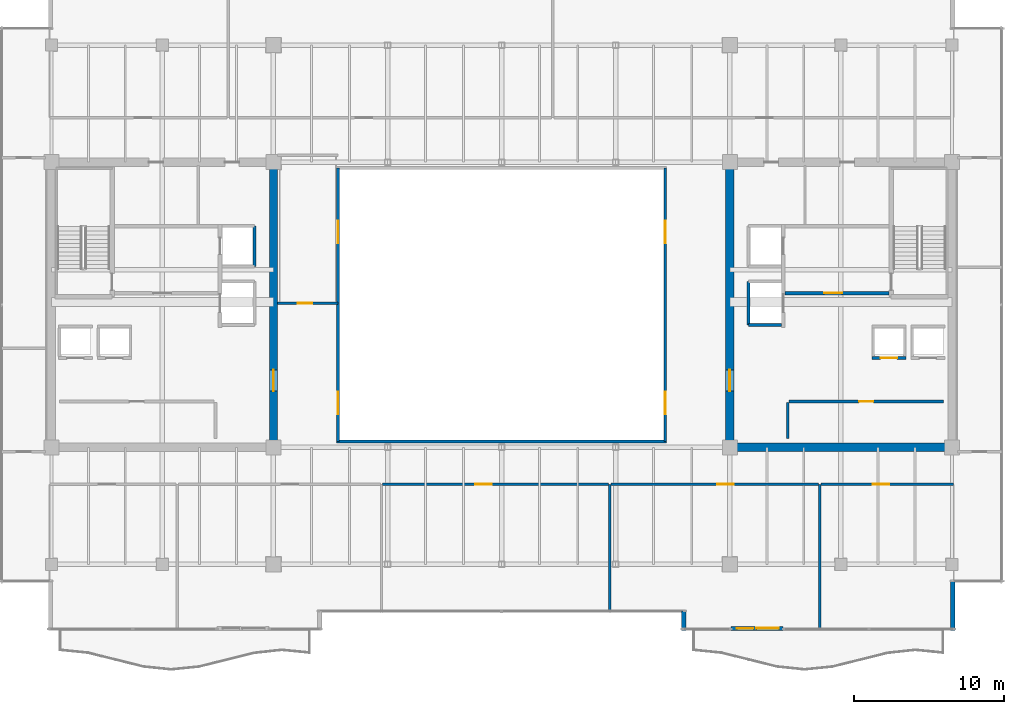
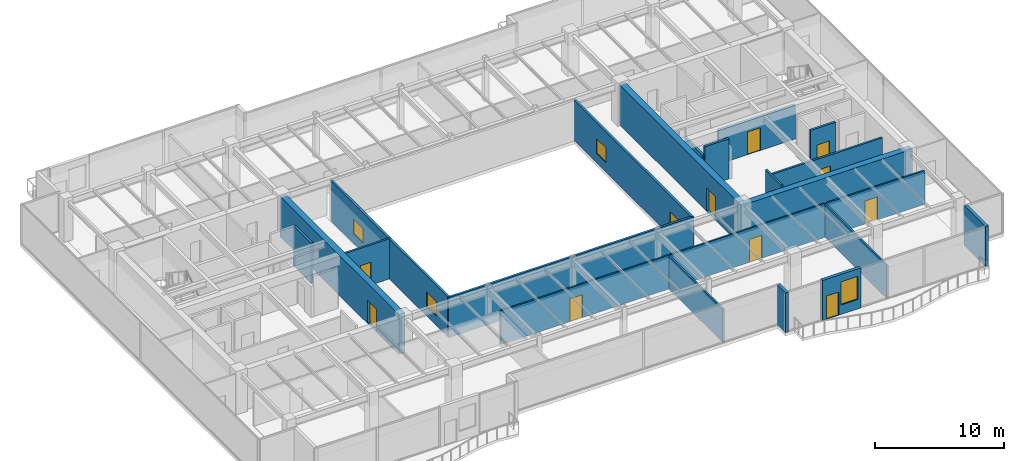
# One storey, part 29 of 35: 22 walls, 10 doors, 5 windows, 15 openings.
"""IFC4 building model written with IfcOpenShell, lengths in metres."""

from ifc_helpers import new_model, si_unit, direction, frame, frame_2d, origin, place, context, subcontext, project, spatial, rectangle, extrude, source, transform, mapped, material, layer, layer_set, type_object, type_shapes, element, fill, save


model = new_model("IFC4")

# Units and contexts
model_context = context("Model", 3, precision=1e-05, world=origin(), true_north=direction((0.0, 1.0)))
body_context = subcontext(model_context, "Body", "Model", "MODEL_VIEW")
ifc_project = project(units=[si_unit("LENGTHUNIT", "METRE"), si_unit("AREAUNIT", "SQUARE_METRE"), si_unit("VOLUMEUNIT", "CUBIC_METRE"), si_unit("PLANEANGLEUNIT", "RADIAN"), si_unit("MASSUNIT", "GRAM", prefix="KILO")], contexts=[model_context])

# Site, building, storey
site_placement = place(None, origin())
site = spatial("IfcSite", under=ifc_project, at=site_placement, CompositionType="ELEMENT")
building_placement = place(site_placement, origin())
building = spatial("IfcBuilding", under=site, at=building_placement, Name="Haelvirn Gate Laboratories", CompositionType="ELEMENT")
storey_placement = place(building_placement, frame((0.0, 0.0, 283.39990234375)))
storey = spatial("IfcBuildingStorey", under=building, at=storey_placement, Name="L68", CompositionType="ELEMENT", Elevation=283.39990234375)

# Wall, openings, door, window
ifc_material_1 = material(Name="Thermally-broken bronze aluminium rainscreen & mineral wool", Category="aluminium")
ifc_layer_1 = layer(ifc_material_1, 0.280029296875, Name="EW-TERR-280")
ifc_layer_set_1 = layer_set([ifc_layer_1], Name="Thermally-broken bronze aluminium rainscreen & mineral wool")
wall_type_1 = type_object("IfcWallType", Name="EW-TERR-280", PredefinedType="STANDARD", material=ifc_layer_set_1)
wall_1_placement = place(storey_placement, frame((52.697021484375, 2.739990234375, 0.0), z_axis=(0.0, 0.0, 1.0), x_axis=(1.0, 0.0, 0.0)))
wall_1 = element("IfcWall", 1, at=wall_1_placement, inside=storey, type_object=wall_type_1, Name="L68 Terrace Access Wall WB-EL-S", PredefinedType="STANDARD", context=body_context, shape_type="SweptSolid", body=[
    extrude(rectangle(XDim=3.4560546875, YDim=0.280029296875, at=frame_2d((1.72802734375, 0.0))), origin(), (0.0, 0.0, 1.0), 3.800048828125),
])
opening_1_placement = place(wall_1_placement, frame((0.3779296875, 0.0, 0.0)))
opening_1 = element("IfcOpeningElement", 2, at=opening_1_placement, cuts=wall_1, Name="Opening TD1", PredefinedType="OPENING", context=body_context, shape_type="SweptSolid", body=[
    extrude(rectangle(XDim=1.10009765625, YDim=2.199951171875, at=frame_2d((0.550048828125, 1.10009765625))), frame((0.0, 0.14990234375, 0.0), z_axis=(0.0, -1.0, 0.0), x_axis=(1.0, 0.0, 0.0)), (0.0, 0.0, 1.0), 0.300048828125),
])
opening_2_placement = place(wall_1_placement, frame((1.677978515625, 0.0, 0.89990234375)))
opening_2 = element("IfcOpeningElement", 3, at=opening_2_placement, cuts=wall_1, Name="Opening W3", PredefinedType="OPENING", context=body_context, shape_type="SweptSolid", body=[
    extrude(rectangle(XDim=1.5, YDim=2.199951171875, at=frame_2d((0.75, 1.10009765625))), frame((0.0, 0.14990234375, 0.0), z_axis=(0.0, -1.0, 0.0), x_axis=(1.0, 0.0, 0.0)), (0.0, 0.0, 1.0), 0.300048828125),
])
ifc_material_2 = material(Name="Thermally-broken bronze aluminium glazed terrace door", Category="aluminium")
door_type_1 = type_object("IfcDoorType", Name="DR-TERR-1100", OperationType="NOTDEFINED", PredefinedType="DOOR", material=ifc_material_2)
shared_shape_1 = source(origin(), body_context, "Body", "SweptSolid", [
    extrude(rectangle(XDim=1.10009765625, YDim=2.199951171875, at=frame_2d((0.550048828125, 1.10009765625))), frame((0.0, 0.02490234375, 0.0), z_axis=(0.0, -1.0, 0.0), x_axis=(1.0, 0.0, 0.0)), (0.0, 0.0, 1.0), 0.050048828125),
])
type_shapes(door_type_1, [shared_shape_1])
door_1_placement = place(opening_1_placement, origin())
door_1 = element("IfcDoor", 4, at=door_1_placement, inside=storey, type_object=door_type_1, Name="L68 Terrace Access Door WB-EL-S", OperationType="SINGLE_SWING_LEFT", OverallHeight=2.199951171875, OverallWidth=1.10009765625, PredefinedType="DOOR", context=body_context, shape_type="MappedRepresentation", body=[
    mapped(shared_shape_1, transform((0.0, 0.0, 0.0), scale=1.0)),
])
fill(opening_1, door_1)
ifc_material_3 = material(Name="Bronze anodised aluminium & triple low-E glass", Category="aluminium")
window_type_1 = type_object("IfcWindowType", Name="WIN-TERR-1600", PartitioningType="SINGLE_PANEL", PredefinedType="WINDOW", material=ifc_material_3)
shared_shape_2 = source(origin(), body_context, "Body", "SweptSolid", [
    extrude(rectangle(XDim=1.5, YDim=2.199951171875, at=frame_2d((0.75, 1.10009765625))), frame((0.0, 0.030029296875, 0.0), z_axis=(0.0, -1.0, 0.0), x_axis=(1.0, 0.0, 0.0)), (0.0, 0.0, 1.0), 0.06005859375),
])
type_shapes(window_type_1, [shared_shape_2])
window_1_placement = place(opening_2_placement, origin())
window_1 = element("IfcWindow", 5, at=window_1_placement, inside=storey, type_object=window_type_1, Name="L68 Terrace Vision Window WB-EL-S", OverallHeight=2.199951171875, OverallWidth=1.5, PartitioningType="SINGLE_PANEL", PredefinedType="WINDOW", context=body_context, shape_type="MappedRepresentation", body=[
    mapped(shared_shape_2, transform((0.0, 0.0, 0.0), scale=1.0)),
])
fill(opening_2, window_1)

# Walls
wall_2_placement = place(storey_placement, frame((49.5400390625, 3.89306640625, 0.0), z_axis=(0.0, 0.0, 1.0), x_axis=(0.0, -1.0, 0.0)))
element("IfcWall", 6, at=wall_2_placement, inside=storey, type_object=wall_type_1, Name="L68 Atrium Recess Bronze Return Wall 03", PredefinedType="STANDARD", context=body_context, shape_type="SweptSolid", body=[
    extrude(rectangle(XDim=1.29296875, YDim=0.280029296875, at=frame_2d((0.646484375, 0.0))), origin(), (0.0, 0.0, 1.0), 3.800048828125),
])
wall_3_placement = place(storey_placement, frame((67.4599609375, 2.60009765625, 0.0), z_axis=(0.0, 0.0, 1.0), x_axis=(0.0, 1.0, 0.0)))
element("IfcWall", 7, at=wall_3_placement, inside=storey, type_object=wall_type_1, Name="L68 Atrium Recess Bronze Return Wall 05", PredefinedType="STANDARD", context=body_context, shape_type="SweptSolid", body=[
    extrude(rectangle(XDim=3.287841796875, YDim=0.280029296875, at=frame_2d((1.64404296875, 0.0))), origin(), (0.0, 0.0, 1.0), 3.800048828125),
])
ifc_material_4 = material(Name="Double-layer acoustic gypsum laboratory partition", Category="gypsum")
ifc_layer_2 = layer(ifc_material_4, 0.159912109375, Name="IW-ACOUST-160")
ifc_layer_set_2 = layer_set([ifc_layer_2], Name="Double-layer acoustic gypsum laboratory partition")
wall_type_2 = type_object("IfcWallType", Name="IW-ACOUST-160", PredefinedType="PARTITIONING", material=ifc_layer_set_2)
wall_4_placement = place(storey_placement, frame((44.60009765625, 3.909912109375, 0.0), z_axis=(0.0, 0.0, 1.0), x_axis=(0.0, 1.0, 0.0)))
element("IfcWall", 8, at=wall_4_placement, inside=storey, type_object=wall_type_2, Name="L68 Interior Wall IW-L68-SDIV-03", PredefinedType="PARTITIONING", context=body_context, shape_type="SweptSolid", body=[
    extrude(rectangle(XDim=8.43017578125, YDim=0.159912109375, at=frame_2d((4.215087890625, 0.0))), origin(), (0.0, 0.0, 1.0), 3.135009765625),
])
wall_5_placement = place(storey_placement, frame((58.60009765625, 2.7099609375, 0.0), z_axis=(0.0, 0.0, 1.0), x_axis=(0.0, 1.0, 0.0)))
element("IfcWall", 9, at=wall_5_placement, inside=storey, type_object=wall_type_2, Name="L68 Interior Wall IW-L68-SDIV-04", PredefinedType="PARTITIONING", context=body_context, shape_type="SweptSolid", body=[
    extrude(rectangle(XDim=9.630126953125, YDim=0.159912109375, at=frame_2d((4.81494140625, 0.0))), origin(), (0.0, 0.0, 1.0), 3.135009765625),
])

# Wall, opening, door
ifc_material_5 = material(Name="Fire-rated acoustic gypsum board partition", Category="gypsum")
ifc_layer_3 = layer(ifc_material_5, 0.175048828125, Name="IW-ACOUST-180")
ifc_layer_set_3 = layer_set([ifc_layer_3], Name="Fire-rated acoustic gypsum board partition")
wall_type_3 = type_object("IfcWallType", Name="IW-ACOUST-180", PredefinedType="PARTITIONING", material=ifc_layer_set_3)
wall_6_placement = place(storey_placement, frame((22.47509765625, 24.39990234375, 0.0), z_axis=(0.0, 0.0, 1.0), x_axis=(1.0, 0.0, 0.0)))
wall_6 = element("IfcWall", 10, at=wall_6_placement, inside=storey, type_object=wall_type_3, Name="L68 Interior Wall IW-L68-WPOD-S", PredefinedType="PARTITIONING", context=body_context, shape_type="SweptSolid", body=[
    extrude(rectangle(XDim=4.02490234375, YDim=0.175048828125, at=frame_2d((2.012451171875, 0.0))), origin(), (0.0, 0.0, 1.0), 3.800048828125),
])
opening_3_placement = place(wall_6_placement, frame((1.35009765625, 0.0, 0.0)))
opening_3 = element("IfcOpeningElement", 11, at=opening_3_placement, cuts=wall_6, Name="Opening FD4", PredefinedType="OPENING", context=body_context, shape_type="SweptSolid", body=[
    extrude(rectangle(XDim=0.949951171875, YDim=2.14990234375, at=frame_2d((0.47509765625, 1.074951171875))), frame((0.0, 0.09765625, 0.0), z_axis=(0.0, -1.0, 0.0), x_axis=(1.0, 0.0, 0.0)), (0.0, 0.0, 1.0), 0.195068359375),
])
ifc_material_6 = material(Name="Fire-rated steel SM355 core service door", Category="steel")
door_type_2 = type_object("IfcDoorType", Name="DR-FD-950", OperationType="NOTDEFINED", PredefinedType="DOOR", material=ifc_material_6)
shared_shape_3 = source(origin(), body_context, "Body", "SweptSolid", [
    extrude(rectangle(XDim=0.949951171875, YDim=2.14990234375, at=frame_2d((0.47509765625, 1.074951171875))), frame((0.0, 0.02490234375, 0.0), z_axis=(0.0, -1.0, 0.0), x_axis=(1.0, 0.0, 0.0)), (0.0, 0.0, 1.0), 0.050048828125),
])
type_shapes(door_type_2, [shared_shape_3])
door_2_placement = place(opening_3_placement, origin())
door_2 = element("IfcDoor", 12, at=door_2_placement, inside=storey, type_object=door_type_2, Name="L68 High-Zone Computational Suite Door", OperationType="SINGLE_SWING_RIGHT", OverallHeight=2.14990234375, OverallWidth=0.949951171875, PredefinedType="DOOR", context=body_context, shape_type="MappedRepresentation", body=[
    mapped(shared_shape_3, transform((0.0, 0.0, 0.0), scale=1.0)),
])
fill(opening_3, door_2)

# Wall, openings, windows
ifc_material_7 = material(Name="Tempered fire-rated borosilicate glass & anodised aluminium", Category="aluminium")
ifc_layer_4 = layer(ifc_material_7, 0.195068359375, Name="IW-GLAZ-200")
ifc_layer_set_4 = layer_set([ifc_layer_4], Name="Tempered fire-rated borosilicate glass & anodised aluminium")
wall_type_4 = type_object("IfcWallType", Name="IW-GLAZ-200", PredefinedType="SOLIDWALL", material=ifc_layer_set_4)
wall_7_placement = place(storey_placement, frame((26.5, 15.199951171875, 0.0), z_axis=(0.0, 0.0, 1.0), x_axis=(0.0, 1.0, 0.0)))
wall_7 = element("IfcWall", 13, at=wall_7_placement, inside=storey, type_object=wall_type_4, Name="L68 Interior Wall IW-L68-ATRIUM-W", PredefinedType="SOLIDWALL", context=body_context, shape_type="SweptSolid", body=[
    extrude(rectangle(XDim=18.199951171875, YDim=0.195068359375, at=frame_2d((9.10009765625, 0.0))), origin(), (0.0, 0.0, 1.0), 3.800048828125),
])
opening_4_placement = place(wall_7_placement, frame((1.800048828125, 0.0, 0.89990234375)))
opening_4 = element("IfcOpeningElement", 14, at=opening_4_placement, cuts=wall_7, Name="Opening W5", PredefinedType="OPENING", context=body_context, shape_type="SweptSolid", body=[
    extrude(rectangle(XDim=1.5, YDim=1.39990234375, at=frame_2d((0.75, 0.699951171875))), frame((0.0, 0.107421875, 0.0), z_axis=(0.0, -1.0, 0.0), x_axis=(1.0, 0.0, 0.0)), (0.0, 0.0, 1.0), 0.215087890625),
])
opening_5_placement = place(wall_7_placement, frame((13.199951171875, 0.0, 0.89990234375)))
opening_5 = element("IfcOpeningElement", 15, at=opening_5_placement, cuts=wall_7, Name="Opening W5", PredefinedType="OPENING", context=body_context, shape_type="SweptSolid", body=[
    extrude(rectangle(XDim=1.5, YDim=1.39990234375, at=frame_2d((0.75, 0.699951171875))), frame((0.0, 0.107421875, 0.0), z_axis=(0.0, -1.0, 0.0), x_axis=(1.0, 0.0, 0.0)), (0.0, 0.0, 1.0), 0.215087890625),
])
ifc_material_8 = material(Name="Fire-rated EI 120 borosilicate atrium vision glazing", Category="glass")
window_type_2 = type_object("IfcWindowType", Name="WN-ATR-1500", PartitioningType="SINGLE_PANEL", PredefinedType="WINDOW", material=ifc_material_8)
shared_shape_4 = source(origin(), body_context, "Body", "SweptSolid", [
    extrude(rectangle(XDim=1.5, YDim=1.39990234375, at=frame_2d((0.75, 0.699951171875))), frame((0.0, 0.030029296875, 0.0), z_axis=(0.0, -1.0, 0.0), x_axis=(1.0, 0.0, 0.0)), (0.0, 0.0, 1.0), 0.06005859375),
])
type_shapes(window_type_2, [shared_shape_4])
window_2_placement = place(opening_4_placement, origin())
window_2 = element("IfcWindow", 16, at=window_2_placement, inside=storey, type_object=window_type_2, Name="L68 Atrium Observation Window 1", OverallHeight=1.39990234375, OverallWidth=1.5, PartitioningType="SINGLE_PANEL", PredefinedType="WINDOW", context=body_context, shape_type="MappedRepresentation", body=[
    mapped(shared_shape_4, transform((0.0, 0.0, 0.0), scale=1.0)),
])
fill(opening_4, window_2)
window_3_placement = place(opening_5_placement, origin())
window_3 = element("IfcWindow", 17, at=window_3_placement, inside=storey, type_object=window_type_2, Name="L68 Atrium Observation Window 2", OverallHeight=1.39990234375, OverallWidth=1.5, PartitioningType="SINGLE_PANEL", PredefinedType="WINDOW", context=body_context, shape_type="MappedRepresentation", body=[
    mapped(shared_shape_4, transform((0.0, 0.0, 0.0), scale=1.0)),
])
fill(opening_5, window_3)

wall_8_placement = place(storey_placement, frame((48.300048828125, 15.199951171875, 0.0), z_axis=(0.0, 0.0, 1.0), x_axis=(0.0, 1.0, 0.0)))
wall_8 = element("IfcWall", 18, at=wall_8_placement, inside=storey, type_object=wall_type_4, Name="L68 Interior Wall IW-L68-ATRIUM-E", PredefinedType="SOLIDWALL", context=body_context, shape_type="SweptSolid", body=[
    extrude(rectangle(XDim=18.199951171875, YDim=0.195068359375, at=frame_2d((9.10009765625, 0.0))), origin(), (0.0, 0.0, 1.0), 3.800048828125),
])
opening_6_placement = place(wall_8_placement, frame((1.800048828125, 0.0, 0.89990234375)))
opening_6 = element("IfcOpeningElement", 19, at=opening_6_placement, cuts=wall_8, Name="Opening W5", PredefinedType="OPENING", context=body_context, shape_type="SweptSolid", body=[
    extrude(rectangle(XDim=1.5, YDim=1.39990234375, at=frame_2d((0.75, 0.699951171875))), frame((0.0, 0.107421875, 0.0), z_axis=(0.0, -1.0, 0.0), x_axis=(1.0, 0.0, 0.0)), (0.0, 0.0, 1.0), 0.215087890625),
])
opening_7_placement = place(wall_8_placement, frame((13.199951171875, 0.0, 0.89990234375)))
opening_7 = element("IfcOpeningElement", 20, at=opening_7_placement, cuts=wall_8, Name="Opening W5", PredefinedType="OPENING", context=body_context, shape_type="SweptSolid", body=[
    extrude(rectangle(XDim=1.5, YDim=1.39990234375, at=frame_2d((0.75, 0.699951171875))), frame((0.0, 0.107421875, 0.0), z_axis=(0.0, -1.0, 0.0), x_axis=(1.0, 0.0, 0.0)), (0.0, 0.0, 1.0), 0.215087890625),
])
window_4_placement = place(opening_6_placement, origin())
window_4 = element("IfcWindow", 21, at=window_4_placement, inside=storey, type_object=window_type_2, Name="L68 Atrium Observation Window 1", OverallHeight=1.39990234375, OverallWidth=1.5, PartitioningType="SINGLE_PANEL", PredefinedType="WINDOW", context=body_context, shape_type="MappedRepresentation", body=[
    mapped(shared_shape_4, transform((0.0, 0.0, 0.0), scale=1.0)),
])
fill(opening_6, window_4)
window_5_placement = place(opening_7_placement, origin())
window_5 = element("IfcWindow", 22, at=window_5_placement, inside=storey, type_object=window_type_2, Name="L68 Atrium Observation Window 2", OverallHeight=1.39990234375, OverallWidth=1.5, PartitioningType="SINGLE_PANEL", PredefinedType="WINDOW", context=body_context, shape_type="MappedRepresentation", body=[
    mapped(shared_shape_4, transform((0.0, 0.0, 0.0), scale=1.0)),
])
fill(opening_7, window_5)

# Wall
wall_9_placement = place(storey_placement, frame((26.39990234375, 15.199951171875, 0.0), z_axis=(0.0, 0.0, 1.0), x_axis=(1.0, 0.0, 0.0)))
element("IfcWall", 23, at=wall_9_placement, inside=storey, type_object=wall_type_4, Name="L68 Interior Wall IW-L68-ATRIUM-S", PredefinedType="SOLIDWALL", context=body_context, shape_type="SweptSolid", body=[
    extrude(rectangle(XDim=22.0, YDim=0.195068359375, at=frame_2d((11.0, 0.0))), origin(), (0.0, 0.0, 1.0), 3.800048828125),
])

# Wall, opening, door
ifc_material_9 = material(Name="Acoustic mineral-wool gypsum board partition", Category="gypsum")
ifc_layer_5 = layer(ifc_material_9, 0.139892578125, Name="IW-PART-140")
ifc_layer_set_5 = layer_set([ifc_layer_5], Name="Acoustic mineral-wool gypsum board partition")
wall_type_5 = type_object("IfcWallType", Name="IW-PART-140", PredefinedType="PARTITIONING", material=ifc_layer_set_5)
wall_10_placement = place(storey_placement, frame((29.47998046875, 12.340087890625, 0.0), z_axis=(0.0, 0.0, 1.0), x_axis=(1.0, 0.0, 0.0)))
wall_10 = element("IfcWall", 24, at=wall_10_placement, inside=storey, type_object=wall_type_5, Name="L68 Interior Wall IW-L68-SCORR-03", PredefinedType="PARTITIONING", context=body_context, shape_type="SweptSolid", body=[
    extrude(rectangle(XDim=15.0400390625, YDim=0.139892578125, at=frame_2d((7.52001953125, 0.0))), origin(), (0.0, 0.0, 1.0), 3.197021484375),
])
opening_8_placement = place(wall_10_placement, frame((6.175537109375, 0.0, 0.0)))
opening_8 = element("IfcOpeningElement", 25, at=opening_8_placement, cuts=wall_10, Name="Opening D1", PredefinedType="OPENING", context=body_context, shape_type="SweptSolid", body=[
    extrude(rectangle(XDim=1.10009765625, YDim=2.179931640625, at=frame_2d((0.550048828125, 1.08984375))), frame((0.0, 0.080078125, 0.0), z_axis=(0.0, -1.0, 0.0), x_axis=(1.0, 0.0, 0.0)), (0.0, 0.0, 1.0), 0.159912109375),
])
ifc_material_10 = material(Name="Vision-panel acoustic solid-core timber lab door", Category="wood")
door_type_3 = type_object("IfcDoorType", Name="DR-LAB-1100", OperationType="NOTDEFINED", PredefinedType="DOOR", material=ifc_material_10)
shared_shape_5 = source(origin(), body_context, "Body", "SweptSolid", [
    extrude(rectangle(XDim=1.10009765625, YDim=2.179931640625, at=frame_2d((0.550048828125, 1.08984375))), frame((0.0, 0.02490234375, 0.0), z_axis=(0.0, -1.0, 0.0), x_axis=(1.0, 0.0, 0.0)), (0.0, 0.0, 1.0), 0.050048828125),
])
type_shapes(door_type_3, [shared_shape_5])
door_3_placement = place(opening_8_placement, origin())
door_3 = element("IfcDoor", 26, at=door_3_placement, inside=storey, type_object=door_type_3, Name="L68 Scientific Reference Library Door S3", OperationType="SINGLE_SWING_LEFT", OverallHeight=2.179931640625, OverallWidth=1.10009765625, PredefinedType="DOOR", context=body_context, shape_type="MappedRepresentation", body=[
    mapped(shared_shape_5, transform((0.0, 0.0, 0.0), scale=1.0)),
])
fill(opening_8, door_3)

wall_11_placement = place(storey_placement, frame((44.679931640625, 12.340087890625, 0.0), z_axis=(0.0, 0.0, 1.0), x_axis=(1.0, 0.0, 0.0)))
wall_11 = element("IfcWall", 27, at=wall_11_placement, inside=storey, type_object=wall_type_5, Name="L68 Interior Wall IW-L68-SCORR-04", PredefinedType="PARTITIONING", context=body_context, shape_type="SweptSolid", body=[
    extrude(rectangle(XDim=13.840087890625, YDim=0.139892578125, at=frame_2d((6.919921875, 0.0))), origin(), (0.0, 0.0, 1.0), 3.197021484375),
])
opening_9_placement = place(wall_11_placement, frame((7.09228515625, 0.0, 0.0)))
opening_9 = element("IfcOpeningElement", 28, at=opening_9_placement, cuts=wall_11, Name="Opening D1", PredefinedType="OPENING", context=body_context, shape_type="SweptSolid", body=[
    extrude(rectangle(XDim=1.10009765625, YDim=2.179931640625, at=frame_2d((0.550048828125, 1.08984375))), frame((0.0, 0.080078125, 0.0), z_axis=(0.0, -1.0, 0.0), x_axis=(1.0, 0.0, 0.0)), (0.0, 0.0, 1.0), 0.159912109375),
])
door_4_placement = place(opening_9_placement, origin())
door_4 = element("IfcDoor", 29, at=door_4_placement, inside=storey, type_object=door_type_3, Name="L68 Instrumentation Prototyping Workshop Door S4", OperationType="SINGLE_SWING_RIGHT", OverallHeight=2.179931640625, OverallWidth=1.10009765625, PredefinedType="DOOR", context=body_context, shape_type="MappedRepresentation", body=[
    mapped(shared_shape_5, transform((0.0, 0.0, 0.0), scale=1.0)),
])
fill(opening_9, door_4)

wall_12_placement = place(storey_placement, frame((58.679931640625, 12.340087890625, 0.0), z_axis=(0.0, 0.0, 1.0), x_axis=(1.0, 0.0, 0.0)))
wall_12 = element("IfcWall", 30, at=wall_12_placement, inside=storey, type_object=wall_type_5, Name="L68 Interior Wall IW-L68-SCORR-05", PredefinedType="PARTITIONING", context=body_context, shape_type="SweptSolid", body=[
    extrude(rectangle(XDim=8.81005859375, YDim=0.139892578125, at=frame_2d((4.405029296875, 0.0))), origin(), (0.0, 0.0, 1.0), 3.197021484375),
])
opening_10_placement = place(wall_12_placement, frame((3.434326171875, 0.0, 0.0)))
opening_10 = element("IfcOpeningElement", 31, at=opening_10_placement, cuts=wall_12, Name="Opening D1", PredefinedType="OPENING", context=body_context, shape_type="SweptSolid", body=[
    extrude(rectangle(XDim=1.10009765625, YDim=2.179931640625, at=frame_2d((0.550048828125, 1.08984375))), frame((0.0, 0.080078125, 0.0), z_axis=(0.0, -1.0, 0.0), x_axis=(1.0, 0.0, 0.0)), (0.0, 0.0, 1.0), 0.159912109375),
])
door_5_placement = place(opening_10_placement, origin())
door_5 = element("IfcDoor", 32, at=door_5_placement, inside=storey, type_object=door_type_3, Name="L68 Researcher Quiet Study Door S5", OperationType="SINGLE_SWING_LEFT", OverallHeight=2.179931640625, OverallWidth=1.10009765625, PredefinedType="DOOR", context=body_context, shape_type="MappedRepresentation", body=[
    mapped(shared_shape_5, transform((0.0, 0.0, 0.0), scale=1.0)),
])
fill(opening_10, door_5)

ifc_material_11 = material(Name="Concrete C40/50", Category="concrete")
ifc_layer_6 = layer(ifc_material_11, 0.179931640625, Name="IW-SHAFT-180")
ifc_layer_set_6 = layer_set([ifc_layer_6], Name="Concrete C40/50")
wall_type_6 = type_object("IfcWallType", Name="IW-SHAFT-180", PredefinedType="SOLIDWALL", material=ifc_layer_set_6)
wall_13_placement = place(storey_placement, frame((56.550048828125, 17.85009765625, 0.0), z_axis=(0.0, 0.0, 1.0), x_axis=(1.0, 0.0, 0.0)))
wall_13 = element("IfcWall", 33, at=wall_13_placement, inside=storey, type_object=wall_type_6, Name="L68 Interior Wall IW-L68-E-FREED-HN-1", PredefinedType="SOLIDWALL", context=body_context, shape_type="SweptSolid", body=[
    extrude(rectangle(XDim=10.300048828125, YDim=0.179931640625, at=frame_2d((5.14990234375, 0.0))), origin(), (0.0, 0.0, 1.0), 3.197021484375),
])
opening_11_placement = place(wall_13_placement, frame((4.675048828125, 0.0, 0.0)))
opening_11 = element("IfcOpeningElement", 34, at=opening_11_placement, cuts=wall_13, Name="Opening FD4", PredefinedType="OPENING", context=body_context, shape_type="SweptSolid", body=[
    extrude(rectangle(XDim=0.949951171875, YDim=2.14990234375, at=frame_2d((0.47509765625, 1.074951171875))), frame((0.0, 0.10009765625, 0.0), z_axis=(0.0, -1.0, 0.0), x_axis=(1.0, 0.0, 0.0)), (0.0, 0.0, 1.0), 0.199951171875),
])
door_6_placement = place(opening_11_placement, origin())
door_6 = element("IfcDoor", 35, at=door_6_placement, inside=storey, type_object=door_type_2, Name="L68 High-Zone Cryogenic Biobank Vault Door", OperationType="SINGLE_SWING_LEFT", OverallHeight=2.14990234375, OverallWidth=0.949951171875, PredefinedType="DOOR", context=body_context, shape_type="MappedRepresentation", body=[
    mapped(shared_shape_3, transform((0.0, 0.0, 0.0), scale=1.0)),
])
fill(opening_11, door_6)

# Walls
wall_14_placement = place(storey_placement, frame((56.4599609375, 15.39990234375, 0.0), z_axis=(0.0, 0.0, 1.0), x_axis=(0.0, 1.0, 0.0)))
element("IfcWall", 36, at=wall_14_placement, inside=storey, type_object=wall_type_6, Name="L68 Interior Wall IW-L68-E-FREED-HE-1", PredefinedType="SOLIDWALL", context=body_context, shape_type="SweptSolid", body=[
    extrude(rectangle(XDim=2.400146484375, YDim=0.179931640625, at=frame_2d((1.2001953125, 0.0))), origin(), (0.0, 0.0, 1.0), 3.800048828125),
])
ifc_layer_7 = layer(ifc_material_11, 0.199951171875, Name="IW-SHAFT-200")
ifc_layer_set_7 = layer_set([ifc_layer_7], Name="Concrete C40/50")
wall_type_7 = type_object("IfcWallType", Name="IW-SHAFT-200", PredefinedType="SOLIDWALL", material=ifc_layer_set_7)
wall_15_placement = place(storey_placement, frame((20.949951171875, 26.85009765625, 0.0), z_axis=(0.0, 0.0, 1.0), x_axis=(0.0, 1.0, 0.0)))
element("IfcWall", 37, at=wall_15_placement, inside=storey, type_object=wall_type_7, Name="L68 Interior Wall IW-L68-FL1-BK", PredefinedType="SOLIDWALL", context=body_context, shape_type="SweptSolid", body=[
    extrude(rectangle(XDim=2.699951171875, YDim=0.199951171875, at=frame_2d((1.35009765625, 0.0))), origin(), (0.0, 0.0, 1.0), 3.800048828125),
])

# Wall, opening, door
wall_16_placement = place(storey_placement, frame((62.070068359375, 20.75, 0.0), z_axis=(0.0, 0.0, 1.0), x_axis=(1.0, 0.0, 0.0)))
wall_16 = element("IfcWall", 38, at=wall_16_placement, inside=storey, type_object=wall_type_7, Name="L68 Interior Wall IW-L68-PL12-FR", PredefinedType="SOLIDWALL", context=body_context, shape_type="SweptSolid", body=[
    extrude(rectangle(XDim=2.260009765625, YDim=0.199951171875, at=frame_2d((1.1298828125, 0.0))), origin(), (0.0, 0.0, 1.0), 3.800048828125),
])
opening_12_placement = place(wall_16_placement, frame((0.580078125, 0.0, 0.0)))
opening_12 = element("IfcOpeningElement", 39, at=opening_12_placement, cuts=wall_16, Name="Opening LD2", PredefinedType="OPENING", context=body_context, shape_type="SweptSolid", body=[
    extrude(rectangle(XDim=1.10009765625, YDim=2.219970703125, at=frame_2d((0.550048828125, 1.10986328125))), frame((0.0, 0.10986328125, 0.0), z_axis=(0.0, -1.0, 0.0), x_axis=(1.0, 0.0, 0.0)), (0.0, 0.0, 1.0), 0.219970703125),
])
ifc_material_12 = material(Name="Bronze stainless 316L sliding lift landing door")
door_type_4 = type_object("IfcDoorType", Name="DR-LD-1100", OperationType="NOTDEFINED", PredefinedType="USERDEFINED", material=ifc_material_12)
shared_shape_6 = source(origin(), body_context, "Body", "SweptSolid", [
    extrude(rectangle(XDim=1.10009765625, YDim=2.219970703125, at=frame_2d((0.550048828125, 1.10986328125))), frame((0.0, 0.02490234375, 0.0), z_axis=(0.0, -1.0, 0.0), x_axis=(1.0, 0.0, 0.0)), (0.0, 0.0, 1.0), 0.050048828125),
])
type_shapes(door_type_4, [shared_shape_6])
door_7_placement = place(opening_12_placement, origin())
door_7 = element("IfcDoor", 40, at=door_7_placement, inside=storey, type_object=door_type_4, Name="L68 Passenger Lift PL12 Landing Door", ObjectType="LANDING_DOOR", OperationType="SLIDING_TO_RIGHT", OverallHeight=2.219970703125, OverallWidth=1.10009765625, PredefinedType="USERDEFINED", context=body_context, shape_type="MappedRepresentation", body=[
    mapped(shared_shape_6, transform((0.0, 0.0, 0.0), scale=1.0)),
])
fill(opening_12, door_7)

# Walls
wall_17_placement = place(storey_placement, frame((53.85009765625, 22.949951171875, 0.0), z_axis=(0.0, 0.0, 1.0), x_axis=(0.0, 1.0, 0.0)))
element("IfcWall", 41, at=wall_17_placement, inside=storey, type_object=wall_type_7, Name="L68 Interior Wall IW-L68-SL2-BK", PredefinedType="SOLIDWALL", context=body_context, shape_type="SweptSolid", body=[
    extrude(rectangle(XDim=2.900146484375, YDim=0.199951171875, at=frame_2d((1.4501953125, 0.0))), origin(), (0.0, 0.0, 1.0), 2.93505859375),
])
wall_18_placement = place(storey_placement, frame((53.85009765625, 22.949951171875, 0.0), z_axis=(0.0, 0.0, 1.0), x_axis=(1.0, 0.0, 0.0)))
element("IfcWall", 42, at=wall_18_placement, inside=storey, type_object=wall_type_7, Name="L68 Interior Wall IW-L68-SL2-S", PredefinedType="SOLIDWALL", context=body_context, shape_type="SweptSolid", body=[
    extrude(rectangle(XDim=2.18994140625, YDim=0.199951171875, at=frame_2d((1.094970703125, 0.0))), origin(), (0.0, 0.0, 1.0), 3.800048828125),
])

# Wall, opening, door
ifc_layer_8 = layer(ifc_material_11, 0.239990234375, Name="IW-SHAFT-240")
ifc_layer_set_8 = layer_set([ifc_layer_8], Name="Concrete C40/50")
wall_type_8 = type_object("IfcWallType", Name="IW-SHAFT-240", PredefinedType="SOLIDWALL", material=ifc_layer_set_8)
wall_19_placement = place(storey_placement, frame((56.280029296875, 25.080078125, 0.0), z_axis=(0.0, 0.0, 1.0), x_axis=(1.0, 0.0, 0.0)))
wall_19 = element("IfcWall", 43, at=wall_19_placement, inside=storey, type_object=wall_type_8, Name="L68 Interior Wall IW-L68-E-FF-S", PredefinedType="SOLIDWALL", context=body_context, shape_type="SweptSolid", body=[
    extrude(rectangle(XDim=6.919921875, YDim=0.239990234375, at=frame_2d((3.4599609375, 0.0))), origin(), (0.0, 0.0, 1.0), 3.197021484375),
])
opening_13_placement = place(wall_19_placement, frame((2.60009765625, 0.0, 0.0)))
opening_13 = element("IfcOpeningElement", 44, at=opening_13_placement, cuts=wall_19, Name="Opening FD2", PredefinedType="OPENING", context=body_context, shape_type="SweptSolid", body=[
    extrude(rectangle(XDim=1.199951171875, YDim=2.159912109375, at=frame_2d((0.60009765625, 1.080078125))), frame((0.0, 0.1298828125, 0.0), z_axis=(0.0, -1.0, 0.0), x_axis=(1.0, 0.0, 0.0)), (0.0, 0.0, 1.0), 0.260009765625),
])
ifc_material_13 = material(Name="Fire-rated steel SM355 compartment door", Category="steel")
door_type_5 = type_object("IfcDoorType", Name="DR-FD-1200", OperationType="NOTDEFINED", PredefinedType="DOOR", material=ifc_material_13)
shared_shape_7 = source(origin(), body_context, "Body", "SweptSolid", [
    extrude(rectangle(XDim=1.199951171875, YDim=2.159912109375, at=frame_2d((0.60009765625, 1.080078125))), frame((0.0, 0.02490234375, 0.0), z_axis=(0.0, -1.0, 0.0), x_axis=(1.0, 0.0, 0.0)), (0.0, 0.0, 1.0), 0.050048828125),
])
type_shapes(door_type_5, [shared_shape_7])
door_8_placement = place(opening_13_placement, origin())
door_8 = element("IfcDoor", 45, at=door_8_placement, inside=storey, type_object=door_type_5, Name="L68 East Firefighting Lobby Door", OperationType="SINGLE_SWING_LEFT", OverallHeight=2.159912109375, OverallWidth=1.199951171875, PredefinedType="DOOR", context=body_context, shape_type="MappedRepresentation", body=[
    mapped(shared_shape_7, transform((0.0, 0.0, 0.0), scale=1.0)),
])
fill(opening_13, door_8)

ifc_material_14 = material(Name="Concrete C50/60", Category="concrete")
ifc_layer_9 = layer(ifc_material_14, 0.550048828125, Name="SW-CORE-550")
ifc_layer_set_9 = layer_set([ifc_layer_9], Name="Concrete C50/60")
wall_type_9 = type_object("IfcWallType", Name="SW-CORE-550", PredefinedType="SHEAR", material=ifc_layer_set_9)
wall_20_placement = place(storey_placement, frame((22.199951171875, 15.074951171875, 0.0), z_axis=(0.0, 0.0, 1.0), x_axis=(0.0, 1.0, 0.0)))
wall_20 = element("IfcWall", 46, at=wall_20_placement, inside=storey, type_object=wall_type_9, Name="L68 W Core Shear Wall E", PredefinedType="SHEAR", context=body_context, shape_type="SweptSolid", body=[
    extrude(rectangle(XDim=18.449951171875, YDim=0.550048828125, at=frame_2d((9.22509765625, 0.0))), origin(), (0.0, 0.0, 1.0), 3.800048828125),
])
opening_14_placement = place(wall_20_placement, frame((3.47509765625, 0.0, 0.0)))
opening_14 = element("IfcOpeningElement", 47, at=opening_14_placement, cuts=wall_20, Name="Opening FD1", PredefinedType="OPENING", context=body_context, shape_type="SweptSolid", body=[
    extrude(rectangle(XDim=1.419921875, YDim=2.199951171875, at=frame_2d((0.7099609375, 1.10009765625))), frame((0.0, 0.28515625, 0.0), z_axis=(0.0, -1.0, 0.0), x_axis=(1.0, 0.0, 0.0)), (0.0, 0.0, 1.0), 0.570068359375),
])
ifc_material_15 = material(Name="Fire-rated double steel SM355 lobby door", Category="steel")
door_type_6 = type_object("IfcDoorType", Name="DR-FD-1400", OperationType="NOTDEFINED", PredefinedType="DOOR", material=ifc_material_15)
shared_shape_8 = source(origin(), body_context, "Body", "SweptSolid", [
    extrude(rectangle(XDim=1.419921875, YDim=2.199951171875, at=frame_2d((0.7099609375, 1.10009765625))), frame((0.0, 0.02490234375, 0.0), z_axis=(0.0, -1.0, 0.0), x_axis=(1.0, 0.0, 0.0)), (0.0, 0.0, 1.0), 0.050048828125),
])
type_shapes(door_type_6, [shared_shape_8])
door_9_placement = place(opening_14_placement, origin())
door_9 = element("IfcDoor", 48, at=door_9_placement, inside=storey, type_object=door_type_6, Name="L68 West Core Lift Lobby Fire Door", OperationType="DOUBLE_DOOR_SINGLE_SWING", OverallHeight=2.199951171875, OverallWidth=1.419921875, PredefinedType="DOOR", context=body_context, shape_type="MappedRepresentation", body=[
    mapped(shared_shape_8, transform((0.0, 0.0, 0.0), scale=1.0)),
])
fill(opening_14, door_9)

# Wall
wall_21_placement = place(storey_placement, frame((52.324951171875, 14.800048828125, 0.0), z_axis=(0.0, 0.0, 1.0), x_axis=(1.0, 0.0, 0.0)))
element("IfcWall", 49, at=wall_21_placement, inside=storey, type_object=wall_type_9, Name="L68 E Core Shear Wall S", PredefinedType="SHEAR", context=body_context, shape_type="SweptSolid", body=[
    extrude(rectangle(XDim=15.35009765625, YDim=0.550048828125, at=frame_2d((7.675048828125, 0.0))), origin(), (0.0, 0.0, 1.0), 3.800048828125),
])

# Wall, opening, door
wall_22_placement = place(storey_placement, frame((52.60009765625, 15.074951171875, 0.0), z_axis=(0.0, 0.0, 1.0), x_axis=(0.0, 1.0, 0.0)))
wall_22 = element("IfcWall", 50, at=wall_22_placement, inside=storey, type_object=wall_type_9, Name="L68 E Core Shear Wall W", PredefinedType="SHEAR", context=body_context, shape_type="SweptSolid", body=[
    extrude(rectangle(XDim=18.449951171875, YDim=0.550048828125, at=frame_2d((9.22509765625, 0.0))), origin(), (0.0, 0.0, 1.0), 3.800048828125),
])
opening_15_placement = place(wall_22_placement, frame((3.47509765625, 0.0, 0.0)))
opening_15 = element("IfcOpeningElement", 51, at=opening_15_placement, cuts=wall_22, Name="Opening FD1", PredefinedType="OPENING", context=body_context, shape_type="SweptSolid", body=[
    extrude(rectangle(XDim=1.419921875, YDim=2.199951171875, at=frame_2d((0.7099609375, 1.10009765625))), frame((0.0, 0.28515625, 0.0), z_axis=(0.0, -1.0, 0.0), x_axis=(1.0, 0.0, 0.0)), (0.0, 0.0, 1.0), 0.570068359375),
])
door_10_placement = place(opening_15_placement, origin())
door_10 = element("IfcDoor", 52, at=door_10_placement, inside=storey, type_object=door_type_6, Name="L68 East Core Lift Lobby Fire Door", OperationType="DOUBLE_DOOR_SINGLE_SWING", OverallHeight=2.199951171875, OverallWidth=1.419921875, PredefinedType="DOOR", context=body_context, shape_type="MappedRepresentation", body=[
    mapped(shared_shape_8, transform((0.0, 0.0, 0.0), scale=1.0)),
])
fill(opening_15, door_10)

save(model, "model.ifc")
